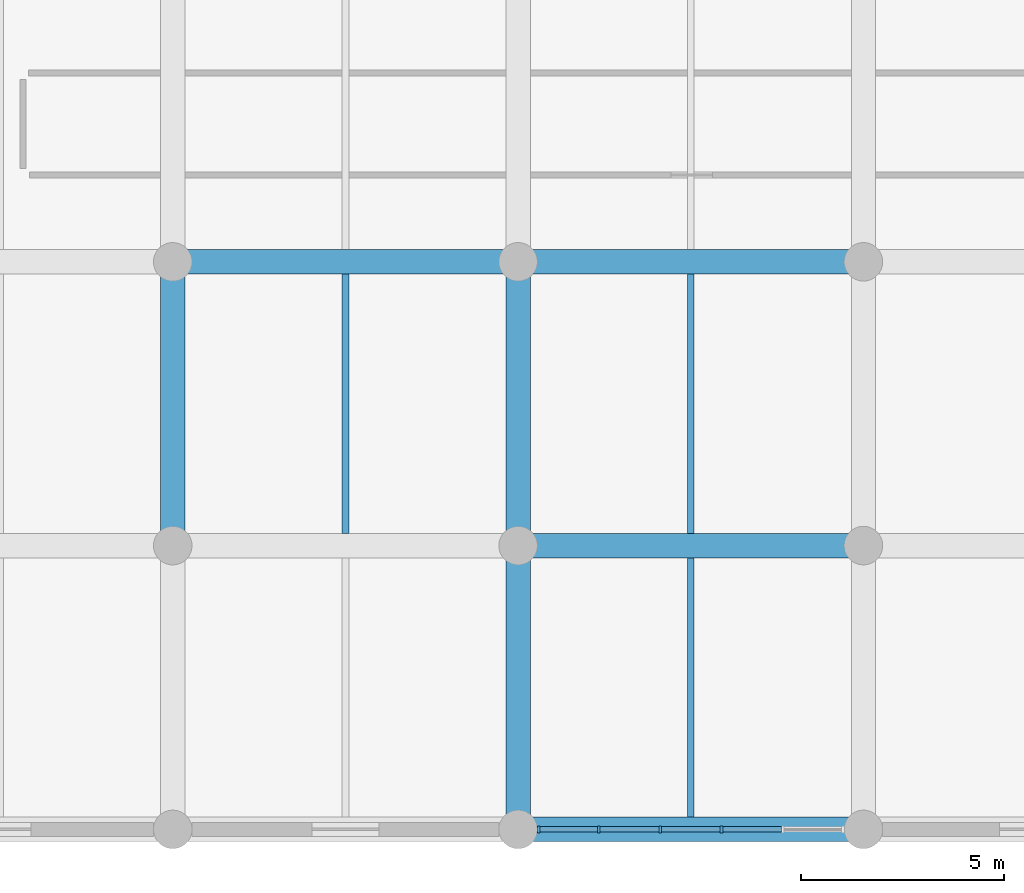
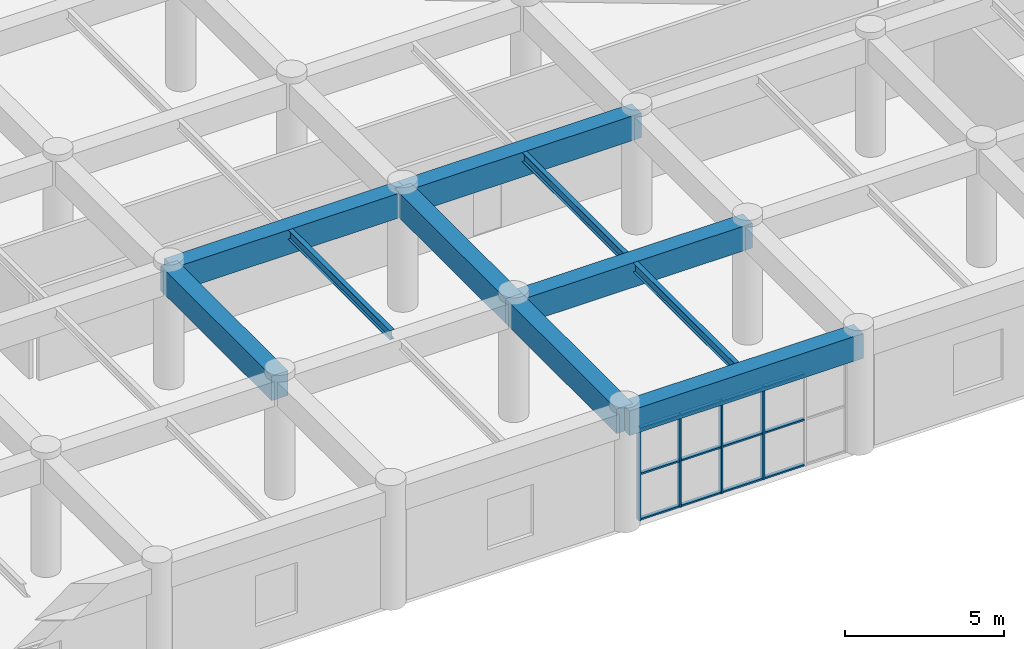
# One storey, part 11 of 137: 16 members, 10 beams, 1 element without a shape of its own.
"""IFC4 building model written with IfcOpenShell, lengths in metres."""

from ifc_helpers import new_model, si_unit, direction, frame, origin, origin_2d, place, context, subcontext, project, spatial, rectangle, i_section, extrude, material, layer, layer_set, material_profile, profile_set, type_object, element, aggregate, save


model = new_model("IFC4")

# Units and contexts
model_context = context("Model", 3, precision=1e-05, world=origin(), true_north=direction((0.0, 1.0)))
body_context = subcontext(model_context, "Body", "Model", "MODEL_VIEW")
ifc_project = project(units=[si_unit("LENGTHUNIT", "METRE"), si_unit("AREAUNIT", "SQUARE_METRE"), si_unit("VOLUMEUNIT", "CUBIC_METRE"), si_unit("PLANEANGLEUNIT", "RADIAN"), si_unit("MASSUNIT", "GRAM", prefix="KILO")], contexts=[model_context])

# Site, building, storey
site_placement = place(None, origin())
site = spatial("IfcSite", under=ifc_project, at=site_placement, CompositionType="ELEMENT")
building_placement = place(site_placement, origin())
building = spatial("IfcBuilding", under=site, at=building_placement, Name="Mphavela Belvedere Stadium", CompositionType="ELEMENT")
storey_placement = place(building_placement, frame((0.0, 0.0, 19.199951171875)))
storey = spatial("IfcBuildingStorey", under=building, at=storey_placement, Name="L04", CompositionType="ELEMENT", Elevation=19.199951171875)

# Beams
ifc_material_1 = material(Name="Concrete C40/50", Category="concrete")
ifc_material_profile_1 = material_profile(ifc_material_1, rectangle(XDim=0.60009765625, YDim=0.949951171875, at=origin_2d()), Name="RC 600x950")
ifc_profile_set_1 = profile_set([ifc_material_profile_1], Name="Concrete C40/50")
beam_type_1 = type_object("IfcBeamType", Name="BM-ENTABLATURE-950", PredefinedType="SPANDREL", material=ifc_profile_set_1)
beam_1_placement = place(storey_placement, frame((17.037109375, 7.0, 4.06494140625), z_axis=(0.0, 1.0, 0.0), x_axis=(-1.0, 0.0, 0.0)))
element("IfcBeam", 1, at=beam_1_placement, inside=storey, type_object=beam_type_1, Name="South Axial Triumphal Peristyle Portico entablature beam Y L04 3-2", PredefinedType="SPANDREL", context=body_context, shape_type="SweptSolid", body=[
    extrude(rectangle(XDim=0.60009765625, YDim=0.949951171875, at=origin_2d()), origin(), (0.0, 0.0, 1.0), 7.0),
])
beam_2_placement = place(storey_placement, frame((17.037109375, 14.0, 4.06494140625), z_axis=(1.0, 0.0, 0.0), x_axis=(0.0, 1.0, 0.0)))
element("IfcBeam", 2, at=beam_2_placement, inside=storey, type_object=beam_type_1, Name="South Axial Triumphal Peristyle Portico entablature beam X L04 3-3", PredefinedType="SPANDREL", context=body_context, shape_type="SweptSolid", body=[
    extrude(rectangle(XDim=0.60009765625, YDim=0.949951171875, at=origin_2d()), origin(), (0.0, 0.0, 1.0), 8.518798828125),
])
beam_3_placement = place(storey_placement, frame((25.555908203125, 0.0, 4.06494140625), z_axis=(1.0, 0.0, 0.0), x_axis=(0.0, 1.0, 0.0)))
element("IfcBeam", 3, at=beam_3_placement, inside=storey, type_object=beam_type_1, Name="South Axial Triumphal Peristyle Portico entablature beam X L04 4-1", PredefinedType="SPANDREL", context=body_context, shape_type="SweptSolid", body=[
    extrude(rectangle(XDim=0.60009765625, YDim=0.949951171875, at=origin_2d()), origin(), (0.0, 0.0, 1.0), 8.51806640625),
])
beam_4_placement = place(storey_placement, frame((25.555908203125, 0.0, 4.06494140625), z_axis=(0.0, 1.0, 0.0), x_axis=(-1.0, 0.0, 0.0)))
element("IfcBeam", 4, at=beam_4_placement, inside=storey, type_object=beam_type_1, Name="South Axial Triumphal Peristyle Portico entablature beam Y L04 4-1", PredefinedType="SPANDREL", context=body_context, shape_type="SweptSolid", body=[
    extrude(rectangle(XDim=0.60009765625, YDim=0.949951171875, at=origin_2d()), origin(), (0.0, 0.0, 1.0), 7.0),
])
beam_5_placement = place(storey_placement, frame((25.555908203125, 7.0, 4.06494140625), z_axis=(1.0, 0.0, 0.0), x_axis=(0.0, 1.0, 0.0)))
element("IfcBeam", 5, at=beam_5_placement, inside=storey, type_object=beam_type_1, Name="South Axial Triumphal Peristyle Portico entablature beam X L04 4-2", PredefinedType="SPANDREL", context=body_context, shape_type="SweptSolid", body=[
    extrude(rectangle(XDim=0.60009765625, YDim=0.949951171875, at=origin_2d()), origin(), (0.0, 0.0, 1.0), 8.51806640625),
])
beam_6_placement = place(storey_placement, frame((25.555908203125, 7.0, 4.06494140625), z_axis=(0.0, 1.0, 0.0), x_axis=(-1.0, 0.0, 0.0)))
element("IfcBeam", 6, at=beam_6_placement, inside=storey, type_object=beam_type_1, Name="South Axial Triumphal Peristyle Portico entablature beam Y L04 4-2", PredefinedType="SPANDREL", context=body_context, shape_type="SweptSolid", body=[
    extrude(rectangle(XDim=0.60009765625, YDim=0.949951171875, at=origin_2d()), origin(), (0.0, 0.0, 1.0), 7.0),
])
beam_7_placement = place(storey_placement, frame((25.555908203125, 14.0, 4.06494140625), z_axis=(1.0, 0.0, 0.0), x_axis=(0.0, 1.0, 0.0)))
element("IfcBeam", 7, at=beam_7_placement, inside=storey, type_object=beam_type_1, Name="South Axial Triumphal Peristyle Portico entablature beam X L04 4-3", PredefinedType="SPANDREL", context=body_context, shape_type="SweptSolid", body=[
    extrude(rectangle(XDim=0.60009765625, YDim=0.949951171875, at=origin_2d()), origin(), (0.0, 0.0, 1.0), 8.51806640625),
])
ifc_material_2 = material(Name="Steel S355", Category="steel")
ifc_material_profile_2 = material_profile(ifc_material_2, i_section(OverallWidth=0.169921875, OverallDepth=0.360107421875, WebThickness=0.008056640625, FlangeThickness=0.0126953125, at=origin_2d()), Name="IPE 360")
ifc_profile_set_2 = profile_set([ifc_material_profile_2], Name="Steel S355")
beam_type_2 = type_object("IfcBeamType", Name="BM-JOIST-IPE360", PredefinedType="JOIST", material=ifc_profile_set_2)
for number, where, z_axis, x_axis, name in (
    (8, (21.29638671875, 7.300048828125, 4.360107421875), (0.0, 1.0, 0.0), (-1.0, 0.0, 0.0), "South Axial Triumphal Peristyle Portico secondary joist L04 3-2"),
    (9, (29.81494140625, 0.300048828125, 4.360107421875), (0.0, 1.0, 0.0), (-1.0, 0.0, 0.0), "South Axial Triumphal Peristyle Portico secondary joist L04 4-1"),
    (10, (29.81494140625, 7.300048828125, 4.360107421875), (0.0, 1.0, 0.0), (-1.0, 0.0, 0.0), "South Axial Triumphal Peristyle Portico secondary joist L04 4-2"),
):
    element("IfcBeam", number, at=place(storey_placement, frame(where, z_axis=z_axis, x_axis=x_axis)), inside=storey, type_object=beam_type_2, Name=name, PredefinedType="JOIST", context=body_context, shape_type="SweptSolid", body=[
        extrude(i_section(OverallWidth=0.169921875, OverallDepth=0.360107421875, WebThickness=0.008056640625, FlangeThickness=0.0126953125, at=origin_2d()), origin(), (0.0, 0.0, 1.0), 6.39990234375),
    ])

# Curtain wall, members
ifc_material_3 = material(Name="Anodised bronze unitised curtain wall framing")
ifc_layer = layer(ifc_material_3, 0.18994140625)
ifc_layer_set = layer_set([ifc_layer], Name="Anodised bronze unitised curtain wall framing")
curtain_wall_type = type_object("IfcCurtainWallType", Name="CW-UNIT-03", PredefinedType="USERDEFINED", material=ifc_layer_set)
curtain_wall_placement = place(storey_placement, origin())
curtain_wall = element("IfcCurtainWall", 11, at=curtain_wall_placement, inside=storey, type_object=curtain_wall_type, Name="South Axial Triumphal Peristyle Portico gallery curtain wall L04-04", ObjectType="UNITISED CURTAIN WALL", PredefinedType="USERDEFINED")
ifc_material_4 = material(Name="Anodised bronze extruded aluminium", Category="aluminium")
ifc_material_profile_3 = material_profile(ifc_material_4, rectangle(XDim=0.179931640625, YDim=0.06494140625, at=origin_2d()), Name="CW-MUL 180x65")
ifc_profile_set_3 = profile_set([ifc_material_profile_3], Name="Anodised bronze extruded aluminium")
member_type_1 = type_object("IfcMemberType", Name="CWM-180x65", PredefinedType="MULLION", material=ifc_profile_set_3)
member_1_placement = place(storey_placement, frame((30.572265625, 0.0, 0.0), z_axis=(0.0, 0.0, 1.0), x_axis=(0.0, -1.0, 0.0)))
member_1 = element("IfcMember", 12, at=member_1_placement, type_object=member_type_1, Name="CW-03 mullion 3", PredefinedType="MULLION", context=body_context, shape_type="SweptSolid", body=[
    extrude(rectangle(XDim=0.179931640625, YDim=0.06494140625, at=origin_2d()), origin(), (0.0, 0.0, 1.0), 3.56005859375),
])
member_2_placement = place(storey_placement, frame((29.057861328125, 0.0, 0.0), z_axis=(0.0, 0.0, 1.0), x_axis=(0.0, -1.0, 0.0)))
member_2 = element("IfcMember", 13, at=member_2_placement, type_object=member_type_1, Name="CW-03 mullion 4", PredefinedType="MULLION", context=body_context, shape_type="SweptSolid", body=[
    extrude(rectangle(XDim=0.179931640625, YDim=0.06494140625, at=origin_2d()), origin(), (0.0, 0.0, 1.0), 3.56005859375),
])
member_3_placement = place(storey_placement, frame((27.54345703125, 0.0, 0.0), z_axis=(0.0, 0.0, 1.0), x_axis=(0.0, -1.0, 0.0)))
member_3 = element("IfcMember", 14, at=member_3_placement, type_object=member_type_1, Name="CW-03 mullion 5", PredefinedType="MULLION", context=body_context, shape_type="SweptSolid", body=[
    extrude(rectangle(XDim=0.179931640625, YDim=0.06494140625, at=origin_2d()), origin(), (0.0, 0.0, 1.0), 3.56005859375),
])
member_4_placement = place(storey_placement, frame((26.0615234375, 0.0, 0.0), z_axis=(0.0, 0.0, 1.0), x_axis=(0.0, -1.0, 0.0)))
member_4 = element("IfcMember", 15, at=member_4_placement, type_object=member_type_1, Name="CW-03 mullion 6", PredefinedType="MULLION", context=body_context, shape_type="SweptSolid", body=[
    extrude(rectangle(XDim=0.179931640625, YDim=0.06494140625, at=origin_2d()), origin(), (0.0, 0.0, 1.0), 3.56005859375),
])
ifc_material_5 = material(Name="Anodised bronze extruded aluminium", Category="aluminium")
ifc_material_profile_4 = material_profile(ifc_material_5, rectangle(XDim=0.139892578125, YDim=0.06005859375, at=origin_2d()), Name="CW-TRN 140x60")
ifc_profile_set_4 = profile_set([ifc_material_profile_4], Name="Anodised bronze extruded aluminium")
member_type_2 = type_object("IfcMemberType", Name="CWT-140x60", PredefinedType="USERDEFINED", material=ifc_profile_set_4)
member_5_placement = place(storey_placement, frame((32.05419921875, 0.0, 0.030029296875), z_axis=(-1.0, 0.0, 0.0), x_axis=(0.0, -1.0, 0.0)))
member_5 = element("IfcMember", 16, at=member_5_placement, type_object=member_type_2, Name="CW-03 transom 2.1", ObjectType="TRANSOM", PredefinedType="USERDEFINED", context=body_context, shape_type="SweptSolid", body=[
    extrude(rectangle(XDim=0.139892578125, YDim=0.06005859375, at=origin_2d()), origin(), (0.0, 0.0, 1.0), 1.449462890625),
])
member_6_placement = place(storey_placement, frame((32.05419921875, 0.0, 1.780029296875), z_axis=(-1.0, 0.0, 0.0), x_axis=(0.0, -1.0, 0.0)))
member_6 = element("IfcMember", 17, at=member_6_placement, type_object=member_type_2, Name="CW-03 transom 2.2", ObjectType="TRANSOM", PredefinedType="USERDEFINED", context=body_context, shape_type="SweptSolid", body=[
    extrude(rectangle(XDim=0.139892578125, YDim=0.06005859375, at=origin_2d()), origin(), (0.0, 0.0, 1.0), 1.449462890625),
])
member_7_placement = place(storey_placement, frame((32.05419921875, 0.0, 3.530029296875), z_axis=(-1.0, 0.0, 0.0), x_axis=(0.0, -1.0, 0.0)))
member_7 = element("IfcMember", 18, at=member_7_placement, type_object=member_type_2, Name="CW-03 transom 2.3", ObjectType="TRANSOM", PredefinedType="USERDEFINED", context=body_context, shape_type="SweptSolid", body=[
    extrude(rectangle(XDim=0.139892578125, YDim=0.06005859375, at=origin_2d()), origin(), (0.0, 0.0, 1.0), 1.449462890625),
])
member_8_placement = place(storey_placement, frame((30.539794921875, 0.0, 0.030029296875), z_axis=(-1.0, 0.0, 0.0), x_axis=(0.0, -1.0, 0.0)))
member_8 = element("IfcMember", 19, at=member_8_placement, type_object=member_type_2, Name="CW-03 transom 3.1", ObjectType="TRANSOM", PredefinedType="USERDEFINED", context=body_context, shape_type="SweptSolid", body=[
    extrude(rectangle(XDim=0.139892578125, YDim=0.06005859375, at=origin_2d()), origin(), (0.0, 0.0, 1.0), 1.449462890625),
])
member_9_placement = place(storey_placement, frame((30.539794921875, 0.0, 1.780029296875), z_axis=(-1.0, 0.0, 0.0), x_axis=(0.0, -1.0, 0.0)))
member_9 = element("IfcMember", 20, at=member_9_placement, type_object=member_type_2, Name="CW-03 transom 3.2", ObjectType="TRANSOM", PredefinedType="USERDEFINED", context=body_context, shape_type="SweptSolid", body=[
    extrude(rectangle(XDim=0.139892578125, YDim=0.06005859375, at=origin_2d()), origin(), (0.0, 0.0, 1.0), 1.449462890625),
])
member_10_placement = place(storey_placement, frame((30.539794921875, 0.0, 3.530029296875), z_axis=(-1.0, 0.0, 0.0), x_axis=(0.0, -1.0, 0.0)))
member_10 = element("IfcMember", 21, at=member_10_placement, type_object=member_type_2, Name="CW-03 transom 3.3", ObjectType="TRANSOM", PredefinedType="USERDEFINED", context=body_context, shape_type="SweptSolid", body=[
    extrude(rectangle(XDim=0.139892578125, YDim=0.06005859375, at=origin_2d()), origin(), (0.0, 0.0, 1.0), 1.449462890625),
])
member_11_placement = place(storey_placement, frame((29.025390625, 0.0, 0.030029296875), z_axis=(-1.0, 0.0, 0.0), x_axis=(0.0, -1.0, 0.0)))
member_11 = element("IfcMember", 22, at=member_11_placement, type_object=member_type_2, Name="CW-03 transom 4.1", ObjectType="TRANSOM", PredefinedType="USERDEFINED", context=body_context, shape_type="SweptSolid", body=[
    extrude(rectangle(XDim=0.139892578125, YDim=0.06005859375, at=origin_2d()), origin(), (0.0, 0.0, 1.0), 1.449462890625),
])
member_12_placement = place(storey_placement, frame((29.025390625, 0.0, 1.780029296875), z_axis=(-1.0, 0.0, 0.0), x_axis=(0.0, -1.0, 0.0)))
member_12 = element("IfcMember", 23, at=member_12_placement, type_object=member_type_2, Name="CW-03 transom 4.2", ObjectType="TRANSOM", PredefinedType="USERDEFINED", context=body_context, shape_type="SweptSolid", body=[
    extrude(rectangle(XDim=0.139892578125, YDim=0.06005859375, at=origin_2d()), origin(), (0.0, 0.0, 1.0), 1.449462890625),
])
member_13_placement = place(storey_placement, frame((29.025390625, 0.0, 3.530029296875), z_axis=(-1.0, 0.0, 0.0), x_axis=(0.0, -1.0, 0.0)))
member_13 = element("IfcMember", 24, at=member_13_placement, type_object=member_type_2, Name="CW-03 transom 4.3", ObjectType="TRANSOM", PredefinedType="USERDEFINED", context=body_context, shape_type="SweptSolid", body=[
    extrude(rectangle(XDim=0.139892578125, YDim=0.06005859375, at=origin_2d()), origin(), (0.0, 0.0, 1.0), 1.449462890625),
])
member_14_placement = place(storey_placement, frame((27.510986328125, 0.0, 0.030029296875), z_axis=(-1.0, 0.0, 0.0), x_axis=(0.0, -1.0, 0.0)))
member_14 = element("IfcMember", 25, at=member_14_placement, type_object=member_type_2, Name="CW-03 transom 5.1", ObjectType="TRANSOM", PredefinedType="USERDEFINED", context=body_context, shape_type="SweptSolid", body=[
    extrude(rectangle(XDim=0.139892578125, YDim=0.06005859375, at=origin_2d()), origin(), (0.0, 0.0, 1.0), 1.4169921875),
])
member_15_placement = place(storey_placement, frame((27.510986328125, 0.0, 1.780029296875), z_axis=(-1.0, 0.0, 0.0), x_axis=(0.0, -1.0, 0.0)))
member_15 = element("IfcMember", 26, at=member_15_placement, type_object=member_type_2, Name="CW-03 transom 5.2", ObjectType="TRANSOM", PredefinedType="USERDEFINED", context=body_context, shape_type="SweptSolid", body=[
    extrude(rectangle(XDim=0.139892578125, YDim=0.06005859375, at=origin_2d()), origin(), (0.0, 0.0, 1.0), 1.4169921875),
])
member_16_placement = place(storey_placement, frame((27.510986328125, 0.0, 3.530029296875), z_axis=(-1.0, 0.0, 0.0), x_axis=(0.0, -1.0, 0.0)))
member_16 = element("IfcMember", 27, at=member_16_placement, type_object=member_type_2, Name="CW-03 transom 5.3", ObjectType="TRANSOM", PredefinedType="USERDEFINED", context=body_context, shape_type="SweptSolid", body=[
    extrude(rectangle(XDim=0.139892578125, YDim=0.06005859375, at=origin_2d()), origin(), (0.0, 0.0, 1.0), 1.4169921875),
])
aggregate(curtain_wall, [member_1, member_2, member_3, member_4, member_5, member_6, member_7, member_8, member_9, member_10, member_11, member_12, member_13, member_14, member_15, member_16])

save(model, "model.ifc")
